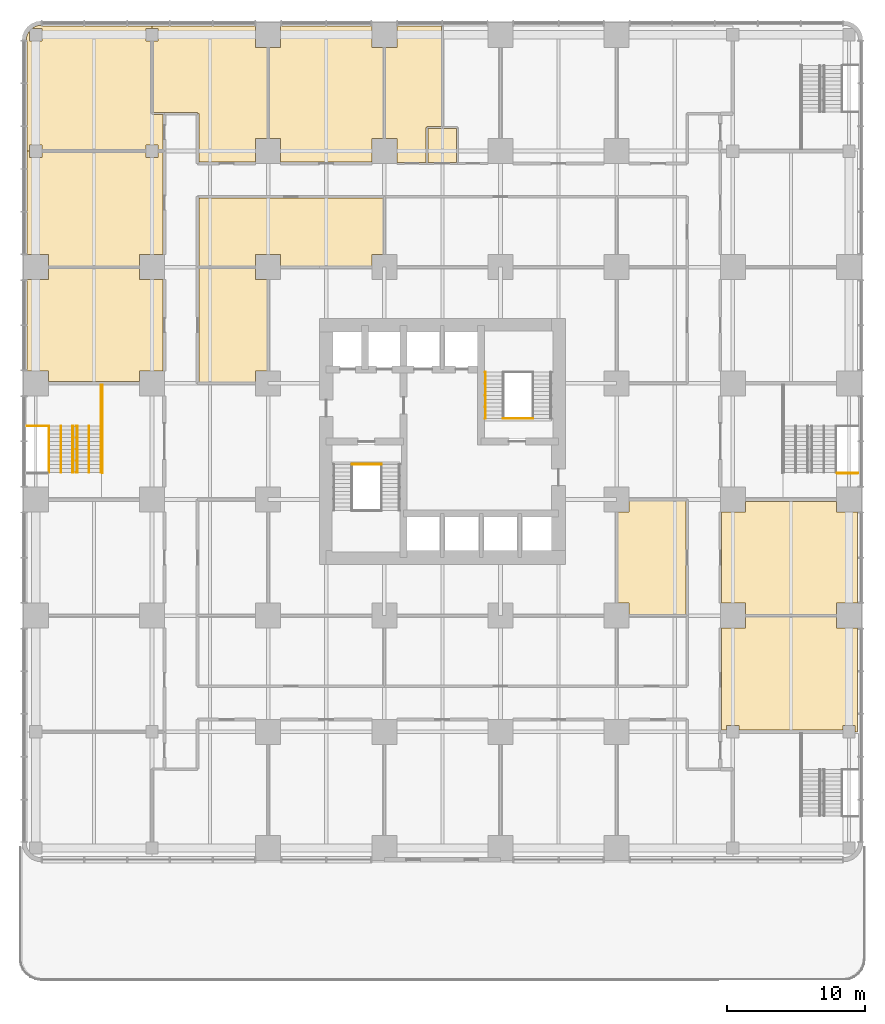
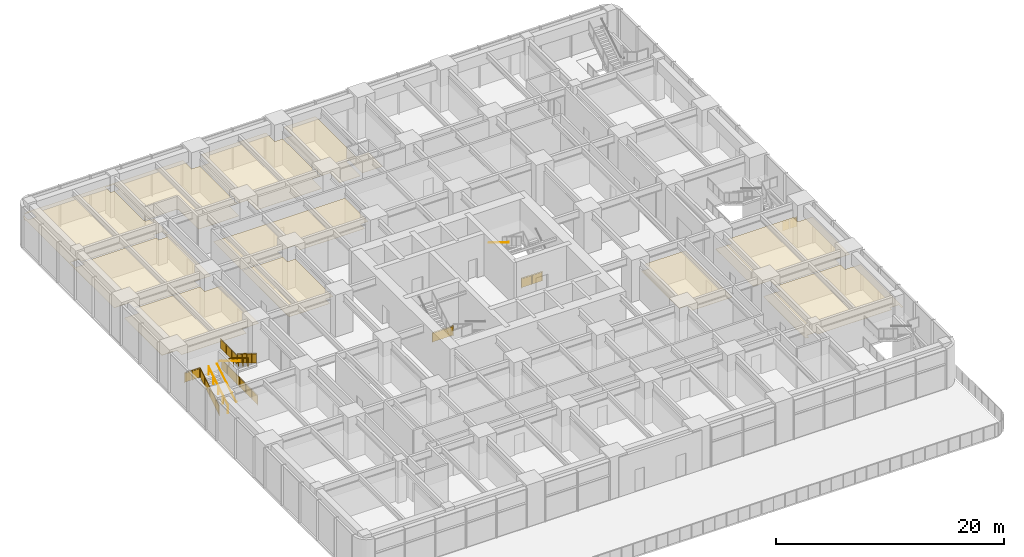
# One storey, part 17 of 19: 13 railings, 12 coverings.
"""IFC4 building model written with IfcOpenShell, lengths in metres."""

from ifc_helpers import new_model, si_unit, direction, frame, origin, origin_2d, place, context, subcontext, project, spatial, polyline, circle, outline, extrude, material, layer, layer_set, type_object, element, save


model = new_model("IFC4")

# Units and contexts
model_context = context("Model", 3, precision=1e-05, world=origin(), true_north=direction((0.0, 1.0)))
body_context = subcontext(model_context, "Body", "Model", "MODEL_VIEW")
ifc_project = project(units=[si_unit("LENGTHUNIT", "METRE"), si_unit("AREAUNIT", "SQUARE_METRE"), si_unit("VOLUMEUNIT", "CUBIC_METRE"), si_unit("PLANEANGLEUNIT", "RADIAN"), si_unit("MASSUNIT", "GRAM", prefix="KILO")], contexts=[model_context])

# Site, building, storey
site_placement = place(None, origin())
site = spatial("IfcSite", under=ifc_project, at=site_placement, CompositionType="ELEMENT")
building_placement = place(site_placement, origin())
building = spatial("IfcBuilding", under=site, at=building_placement, Name="Torre Alcanfor", CompositionType="ELEMENT")
storey_placement = place(building_placement, frame((0.0, 0.0, 15.0)))
storey = spatial("IfcBuildingStorey", under=building, at=storey_placement, Name="L03", CompositionType="ELEMENT", Elevation=15.0)

# Coverings
ifc_material_1 = material(Name="Mineral fibre acoustic tile 20 mm, NRC 0.70, on exposed suspension grid", Category="mineral fibre")
ifc_layer_1 = layer(ifc_material_1, 0.02001953125)
ifc_layer_set_1 = layer_set([ifc_layer_1], Name="Acoustic suspended ceiling 600x600 mineral fibre tile")
covering_type_1 = type_object("IfcCoveringType", Name="Acoustic suspended ceiling 600x600 mineral fibre tile", PredefinedType="CEILING", material=ifc_layer_set_1)
covering_1_placement = place(storey_placement, frame((0.0, 0.0, 2.75)))
element("IfcCovering", 1, at=covering_1_placement, inside=storey, type_object=covering_type_1, Name="Ceiling L03-09", PredefinedType="CEILING", context=body_context, shape_type="SweptSolid", body=[
    extrude(outline(polyline([(59.25, 8.85009765625), (59.25, 8.39990234375), (59.425048828125, 8.39990234375), (59.425048828125, 15.89990234375), (57.89990234375, 15.89990234375), (57.89990234375, 16.72509765625), (51.300048828125, 16.72509765625), (51.300048828125, 15.89990234375), (49.60009765625, 15.89990234375), (49.60009765625, 8.52490234375), (49.949951171875, 8.52490234375), (49.949951171875, 8.85009765625), (50.85009765625, 8.85009765625), (50.85009765625, 8.52490234375), (58.35009765625, 8.52490234375), (58.35009765625, 8.85009765625), (59.25, 8.85009765625)])), origin(), (0.0, 0.0, 1.0), 0.02001953125),
])
covering_2_placement = place(storey_placement, frame((0.0, 0.0, 2.75)))
element("IfcCovering", 2, at=covering_2_placement, inside=storey, type_object=covering_type_1, Name="Ceiling L03-11", PredefinedType="CEILING", context=body_context, shape_type="SweptSolid", body=[
    extrude(outline(polyline([(57.89990234375, 16.875), (57.89990234375, 17.699951171875), (59.425048828125, 17.699951171875), (59.425048828125, 24.300048828125), (57.89990234375, 24.300048828125), (57.89990234375, 25.074951171875), (51.300048828125, 25.074951171875), (51.300048828125, 24.300048828125), (49.60009765625, 24.300048828125), (49.60009765625, 17.699951171875), (51.300048828125, 17.699951171875), (51.300048828125, 16.875), (57.89990234375, 16.875)])), origin(), (0.0, 0.0, 1.0), 0.02001953125),
])
covering_3_placement = place(storey_placement, frame((0.0, 0.0, 2.75)))
element("IfcCovering", 3, at=covering_3_placement, inside=storey, type_object=covering_type_1, Name="Ceiling L03-12", PredefinedType="CEILING", context=body_context, shape_type="SweptSolid", body=[
    extrude(outline(polyline([(0.89990234375, 41.925048828125), (0.89990234375, 41.10009765625), (-0.625, 41.10009765625), (-0.625, 34.5), (0.89990234375, 34.5), (0.89990234375, 33.72509765625), (7.5, 33.72509765625), (7.5, 34.5), (9.199951171875, 34.5), (9.199951171875, 41.10009765625), (7.5, 41.10009765625), (7.5, 41.925048828125), (0.89990234375, 41.925048828125)])), origin(), (0.0, 0.0, 1.0), 0.02001953125),
])
covering_4_placement = place(storey_placement, frame((0.0, 0.0, 2.75)))
element("IfcCovering", 4, at=covering_4_placement, inside=storey, type_object=covering_type_1, Name="Ceiling L03-14", PredefinedType="CEILING", context=body_context, shape_type="SweptSolid", body=[
    extrude(outline(polyline([(-0.449951171875, 49.949951171875), (-0.449951171875, 50.39990234375), (-0.625, 50.39990234375), (-0.625, 42.89990234375), (0.89990234375, 42.89990234375), (0.89990234375, 42.074951171875), (7.5, 42.074951171875), (7.5, 42.89990234375), (9.199951171875, 42.89990234375), (9.199951171875, 50.324951171875), (8.85009765625, 50.324951171875), (8.85009765625, 49.949951171875), (7.949951171875, 49.949951171875), (7.949951171875, 50.324951171875), (0.449951171875, 50.324951171875), (0.449951171875, 49.949951171875), (-0.449951171875, 49.949951171875)])), origin(), (0.0, 0.0, 1.0), 0.02001953125),
])
covering_5_placement = place(storey_placement, frame((0.0, 0.0, 2.75)))
element("IfcCovering", 5, at=covering_5_placement, inside=storey, type_object=covering_type_1, Name="Ceiling L03-16", PredefinedType="CEILING", context=body_context, shape_type="SweptSolid", body=[
    extrude(outline(polyline([(16.875, 51.300048828125), (17.699951171875, 51.300048828125), (17.699951171875, 49.60009765625), (24.300048828125, 49.60009765625), (24.300048828125, 51.300048828125), (25.125, 51.300048828125), (25.125, 57.89990234375), (24.300048828125, 57.89990234375), (24.300048828125, 59.425048828125), (17.699951171875, 59.425048828125), (17.699951171875, 57.89990234375), (16.875, 57.89990234375), (16.875, 51.300048828125)])), origin(), (0.0, 0.0, 1.0), 0.02001953125),
])
covering_6_placement = place(storey_placement, frame((0.0, 0.0, 2.75)))
element("IfcCovering", 6, at=covering_6_placement, inside=storey, type_object=covering_type_1, Name="Ceiling L03-18", PredefinedType="CEILING", context=body_context, shape_type="SweptSolid", body=[
    extrude(outline(polyline([(-0.449951171875, 59.079345703125), (-0.55029296875, 58.94873046875), (-0.659912109375, 58.68408203125), (-0.697509765625, 58.39990234375), (-0.625, 58.39990234375), (-0.625, 50.39990234375), (-0.449951171875, 50.39990234375), (-0.449951171875, 50.85009765625), (0.449951171875, 50.85009765625), (0.449951171875, 50.47509765625), (7.949951171875, 50.47509765625), (7.949951171875, 50.85009765625), (8.85009765625, 50.85009765625), (8.85009765625, 50.47509765625), (9.199951171875, 50.47509765625), (9.199951171875, 53.02490234375), (8.39990234375, 53.02490234375), (8.39990234375, 53.10009765625), (8.324951171875, 53.10009765625), (8.324951171875, 58.35009765625), (7.949951171875, 58.35009765625), (7.949951171875, 59.25), (8.39990234375, 59.25), (8.39990234375, 59.425048828125), (0.39990234375, 59.425048828125), (0.39990234375, 59.497314453125), (0.115966796875, 59.4599609375), (-0.148681640625, 59.350341796875), (-0.279296875, 59.25), (0.449951171875, 59.25), (0.449951171875, 58.35009765625), (-0.449951171875, 58.35009765625), (-0.449951171875, 59.079345703125)])), origin(), (0.0, 0.0, 1.0), 0.02001953125),
])
covering_7_placement = place(storey_placement, frame((0.0, 0.0, 2.75)))
element("IfcCovering", 7, at=covering_7_placement, inside=storey, type_object=covering_type_1, Name="Ceiling L03-20", PredefinedType="CEILING", context=body_context, shape_type="SweptSolid", body=[
    extrude(outline(polyline([(8.39990234375, 59.25), (8.85009765625, 59.25), (8.85009765625, 58.35009765625), (8.47509765625, 58.35009765625), (8.47509765625, 53.175048828125), (9.300048828125, 53.175048828125), (9.300048828125, 53.199951171875), (11.699951171875, 53.199951171875), (11.699951171875, 53.10009765625), (11.800048828125, 53.10009765625), (11.800048828125, 49.60009765625), (15.89990234375, 49.60009765625), (15.89990234375, 51.300048828125), (16.72509765625, 51.300048828125), (16.72509765625, 57.89990234375), (15.89990234375, 57.89990234375), (15.89990234375, 59.425048828125), (8.39990234375, 59.425048828125), (8.39990234375, 59.25)])), origin(), (0.0, 0.0, 1.0), 0.02001953125),
])
covering_8_placement = place(storey_placement, frame((0.0, 0.0, 3.0)))
element("IfcCovering", 8, at=covering_8_placement, inside=storey, type_object=covering_type_1, Name="Ceiling L03-I05", PredefinedType="CEILING", context=body_context, shape_type="SweptSolid", body=[
    extrude(outline(polyline([(42.89990234375, 25.10009765625), (42.89990234375, 24.300048828125), (42.10009765625, 24.300048828125), (42.10009765625, 17.699951171875), (42.89990234375, 17.699951171875), (42.89990234375, 16.875), (47.0, 16.875), (47.0, 25.10009765625), (42.89990234375, 25.10009765625)])), origin(), (0.0, 0.0, 1.0), 0.02001953125),
])
covering_9_placement = place(storey_placement, frame((0.0, 0.0, 3.0)))
element("IfcCovering", 9, at=covering_9_placement, inside=storey, type_object=covering_type_1, Name="Ceiling L03-I06", PredefinedType="CEILING", context=body_context, shape_type="SweptSolid", body=[
    extrude(outline(polyline([(15.89990234375, 33.699951171875), (15.89990234375, 34.5), (16.699951171875, 34.5), (16.699951171875, 41.10009765625), (15.89990234375, 41.10009765625), (15.89990234375, 41.925048828125), (11.800048828125, 41.925048828125), (11.800048828125, 33.699951171875), (15.89990234375, 33.699951171875)])), origin(), (0.0, 0.0, 1.0), 0.02001953125),
])
covering_10_placement = place(storey_placement, frame((0.0, 0.0, 3.0)))
element("IfcCovering", 10, at=covering_10_placement, inside=storey, type_object=covering_type_1, Name="Ceiling L03-I08", PredefinedType="CEILING", context=body_context, shape_type="SweptSolid", body=[
    extrude(outline(polyline([(24.300048828125, 42.10009765625), (24.300048828125, 42.89990234375), (25.125, 42.89990234375), (25.125, 47.0), (11.800048828125, 47.0), (11.800048828125, 42.074951171875), (15.89990234375, 42.074951171875), (15.89990234375, 42.89990234375), (17.699951171875, 42.89990234375), (17.699951171875, 42.10009765625), (24.300048828125, 42.10009765625)])), origin(), (0.0, 0.0, 1.0), 0.02001953125),
])
ifc_material_2 = material(Name="Moisture-resistant gypsum plasterboard 12.5 mm on concealed suspension frame", Category="gypsum")
ifc_layer_2 = layer(ifc_material_2, 0.012451171875)
ifc_layer_set_2 = layer_set([ifc_layer_2], Name="Moisture-resistant plasterboard ceiling 12.5")
covering_type_2 = type_object("IfcCoveringType", Name="Moisture-resistant plasterboard ceiling 12.5", PredefinedType="CEILING", material=ifc_layer_set_2)
covering_11_placement = place(storey_placement, frame((0.0, 0.0, 2.75)))
element("IfcCovering", 11, at=covering_11_placement, inside=storey, type_object=covering_type_2, Name="Ceiling L03-WCN1", PredefinedType="CEILING", context=body_context, shape_type="SweptSolid", body=[
    extrude(outline(polyline([(25.27490234375, 51.300048828125), (26.10009765625, 51.300048828125), (26.10009765625, 49.574951171875), (28.22509765625, 49.574951171875), (28.22509765625, 52.10009765625), (28.300048828125, 52.10009765625), (28.300048828125, 52.175048828125), (29.324951171875, 52.175048828125), (29.324951171875, 59.425048828125), (26.10009765625, 59.425048828125), (26.10009765625, 57.89990234375), (25.27490234375, 57.89990234375), (25.27490234375, 51.300048828125)])), origin(), (0.0, 0.0, 1.0), 0.012451171875),
])
covering_12_placement = place(storey_placement, frame((0.0, 0.0, 3.0)))
element("IfcCovering", 12, at=covering_12_placement, inside=storey, type_object=covering_type_2, Name="Ceiling L03-WCN2", PredefinedType="CEILING", context=body_context, shape_type="SweptSolid", body=[
    extrude(outline(polyline([(30.425048828125, 52.02490234375), (28.375, 52.02490234375), (28.375, 49.574951171875), (30.425048828125, 49.574951171875), (30.425048828125, 52.02490234375)])), origin(), (0.0, 0.0, 1.0), 0.012451171875),
])

# Railings
ifc_material_3 = material(Name="Steel ASTM A500 Grade C hollow sections", Category="steel")
railing_type_1 = type_object("IfcRailingType", Name="Stair guard and handrail 1100", PredefinedType="GUARDRAIL", material=ifc_material_3)
for number, where, name in (
    (13, (22.85009765625, 27.75, 0.0), "Stair well guard S1 L03 floor landing"),
    (14, (33.800048828125, 31.050048828125, 0.0), "Stair well guard S2 L03 floor landing"),
):
    element("IfcRailing", number, at=place(storey_placement, frame(where)), inside=storey, type_object=railing_type_1, Name=name, PredefinedType="GUARDRAIL", context=body_context, shape_type="SweptSolid", body=[
        extrude(circle(Radius=0.02392578125, at=origin_2d()), frame((0.0, 0.0, 1.076171875), z_axis=(1.0, 0.0, 0.0), x_axis=(0.0, 1.0, 0.0)), (0.0, 0.0, 1.0), 2.14990234375),
        extrude(circle(Radius=0.02099609375, at=origin_2d()), origin(), (0.0, 0.0, 1.0), 1.052001953125),
        extrude(circle(Radius=0.02099609375, at=origin_2d()), frame((1.074951171875, 0.0, 0.0)), (0.0, 0.0, 1.0), 1.052001953125),
        extrude(circle(Radius=0.02099609375, at=origin_2d()), frame((2.14990234375, 0.0, 0.0)), (0.0, 0.0, 1.0), 1.052001953125),
        extrude(outline(polyline([(0.041015625, 0.050048828125), (1.033935546875, 0.050048828125), (1.033935546875, 1.001953125), (0.041015625, 1.001953125), (0.041015625, 0.050048828125)])), frame((0.0, 0.005859375, 0.0), z_axis=(0.0, -1.0, 0.0), x_axis=(1.0, 0.0, 0.0)), (0.0, 0.0, 1.0), 0.011962890625),
        extrude(outline(polyline([(1.115966796875, 0.050048828125), (2.10888671875, 0.050048828125), (2.10888671875, 1.001953125), (1.115966796875, 1.001953125), (1.115966796875, 0.050048828125)])), frame((0.0, 0.005859375, 0.0), z_axis=(0.0, -1.0, 0.0), x_axis=(1.0, 0.0, 0.0)), (0.0, 0.0, 1.0), 0.011962890625),
    ])
railing_1_placement = place(storey_placement, frame((4.81005859375, 27.10498046875, 0.0)))
element("IfcRailing", 15, at=railing_1_placement, inside=storey, type_object=railing_type_1, Name="Stair well guard SS1 L03 door side", PredefinedType="GUARDRAIL", context=body_context, shape_type="SweptSolid", body=[
    extrude(circle(Radius=0.02392578125, at=origin_2d()), frame((0.0, 0.0, 1.076171875), z_axis=(0.0, 1.0, 0.0), x_axis=(-1.0, 0.0, 0.0)), (0.0, 0.0, 1.0), 6.360107421875),
    extrude(circle(Radius=0.02099609375, at=origin_2d()), origin(), (0.0, 0.0, 1.0), 1.052001953125),
    extrude(circle(Radius=0.02099609375, at=origin_2d()), frame((0.0, 1.06005859375, 0.0)), (0.0, 0.0, 1.0), 1.052001953125),
    extrude(circle(Radius=0.02099609375, at=origin_2d()), frame((0.0, 2.1201171875, 0.0)), (0.0, 0.0, 1.0), 1.052001953125),
    extrude(circle(Radius=0.02099609375, at=origin_2d()), frame((0.0, 3.18017578125, 0.0)), (0.0, 0.0, 1.0), 1.052001953125),
    extrude(circle(Radius=0.02099609375, at=origin_2d()), frame((0.0, 4.239990234375, 0.0)), (0.0, 0.0, 1.0), 1.052001953125),
    extrude(circle(Radius=0.02099609375, at=origin_2d()), frame((0.0, 5.300048828125, 0.0)), (0.0, 0.0, 1.0), 1.052001953125),
    extrude(circle(Radius=0.02099609375, at=origin_2d()), frame((0.0, 6.360107421875, 0.0)), (0.0, 0.0, 1.0), 1.052001953125),
    extrude(outline(polyline([(0.041015625, 0.050048828125), (1.01904296875, 0.050048828125), (1.01904296875, 1.001953125), (0.041015625, 1.001953125), (0.041015625, 0.050048828125)])), frame((-0.005859375, 0.0, 0.0), z_axis=(1.0, 0.0, 0.0), x_axis=(0.0, 1.0, 0.0)), (0.0, 0.0, 1.0), 0.011962890625),
    extrude(outline(polyline([(1.10107421875, 0.050048828125), (2.0791015625, 0.050048828125), (2.0791015625, 1.001953125), (1.10107421875, 1.001953125), (1.10107421875, 0.050048828125)])), frame((-0.005859375, 0.0, 0.0), z_axis=(1.0, 0.0, 0.0), x_axis=(0.0, 1.0, 0.0)), (0.0, 0.0, 1.0), 0.011962890625),
    extrude(outline(polyline([(2.1611328125, 0.050048828125), (3.13916015625, 0.050048828125), (3.13916015625, 1.001953125), (2.1611328125, 1.001953125), (2.1611328125, 0.050048828125)])), frame((-0.005859375, 0.0, 0.0), z_axis=(1.0, 0.0, 0.0), x_axis=(0.0, 1.0, 0.0)), (0.0, 0.0, 1.0), 0.011962890625),
    extrude(outline(polyline([(3.220947265625, 0.050048828125), (4.198974609375, 0.050048828125), (4.198974609375, 1.001953125), (3.220947265625, 1.001953125), (3.220947265625, 0.050048828125)])), frame((-0.005859375, 0.0, 0.0), z_axis=(1.0, 0.0, 0.0), x_axis=(0.0, 1.0, 0.0)), (0.0, 0.0, 1.0), 0.011962890625),
    extrude(outline(polyline([(4.281005859375, 0.050048828125), (5.259033203125, 0.050048828125), (5.259033203125, 1.001953125), (4.281005859375, 1.001953125), (4.281005859375, 0.050048828125)])), frame((-0.005859375, 0.0, 0.0), z_axis=(1.0, 0.0, 0.0), x_axis=(0.0, 1.0, 0.0)), (0.0, 0.0, 1.0), 0.011962890625),
    extrude(outline(polyline([(5.341064453125, 0.050048828125), (6.319091796875, 0.050048828125), (6.319091796875, 1.001953125), (5.341064453125, 1.001953125), (5.341064453125, 0.050048828125)])), frame((-0.005859375, 0.0, 0.0), z_axis=(1.0, 0.0, 0.0), x_axis=(0.0, 1.0, 0.0)), (0.0, 0.0, 1.0), 0.011962890625),
])
railing_2_placement = place(storey_placement, frame((0.949951171875, 27.155029296875, 0.173095703125)))
element("IfcRailing", 16, at=railing_2_placement, inside=storey, type_object=railing_type_1, Name="Stair guard SS1 L03 flight 1", PredefinedType="GUARDRAIL", context=body_context, shape_type="SweptSolid", body=[
    extrude(circle(Radius=0.02392578125, at=origin_2d()), frame((0.0, 0.0, 1.076171875), z_axis=(0.0, 0.850606129759, 0.525803396734), x_axis=(-1.0, 0.0, 0.0)), (0.0, 0.0, 1.0), 3.949951171875),
    extrude(circle(Radius=0.02099609375, at=origin_2d()), origin(), (0.0, 0.0, 1.0), 1.052001953125),
    extrude(circle(Radius=0.02099609375, at=origin_2d()), frame((0.0, 0.83984375, 0.519287109375)), (0.0, 0.0, 1.0), 1.052001953125),
    extrude(circle(Radius=0.02099609375, at=origin_2d()), frame((0.0, 1.679931640625, 1.03857421875)), (0.0, 0.0, 1.0), 1.052001953125),
    extrude(circle(Radius=0.02099609375, at=origin_2d()), frame((0.0, 2.52001953125, 1.5576171875)), (0.0, 0.0, 1.0), 1.052001953125),
    extrude(circle(Radius=0.02099609375, at=origin_2d()), frame((0.0, 3.35986328125, 2.076904296875)), (0.0, 0.0, 1.0), 1.052001953125),
    extrude(outline(polyline([(0.041015625, 0.075439453125), (0.799072265625, 0.5439453125), (0.799072265625, 1.495849609375), (0.041015625, 1.02734375), (0.041015625, 0.075439453125)])), frame((-0.005859375, 0.0, 0.0), z_axis=(1.0, 0.0, 0.0), x_axis=(0.0, 1.0, 0.0)), (0.0, 0.0, 1.0), 0.011962890625),
    extrude(outline(polyline([(0.880859375, 0.594482421875), (1.638916015625, 1.06298828125), (1.638916015625, 2.01513671875), (0.880859375, 1.546630859375), (0.880859375, 0.594482421875)])), frame((-0.005859375, 0.0, 0.0), z_axis=(1.0, 0.0, 0.0), x_axis=(0.0, 1.0, 0.0)), (0.0, 0.0, 1.0), 0.011962890625),
    extrude(outline(polyline([(1.720947265625, 1.11376953125), (2.47900390625, 1.582275390625), (2.47900390625, 2.534423828125), (1.720947265625, 2.06591796875), (1.720947265625, 1.11376953125)])), frame((-0.005859375, 0.0, 0.0), z_axis=(1.0, 0.0, 0.0), x_axis=(0.0, 1.0, 0.0)), (0.0, 0.0, 1.0), 0.011962890625),
    extrude(outline(polyline([(2.560791015625, 1.633056640625), (3.31884765625, 2.1015625), (3.31884765625, 3.053466796875), (2.560791015625, 2.5849609375), (2.560791015625, 1.633056640625)])), frame((-0.005859375, 0.0, 0.0), z_axis=(1.0, 0.0, 0.0), x_axis=(0.0, 1.0, 0.0)), (0.0, 0.0, 1.0), 0.011962890625),
])
railing_3_placement = place(storey_placement, frame((4.7099609375, 30.514892578125, 2.423095703125)))
element("IfcRailing", 17, at=railing_3_placement, inside=storey, type_object=railing_type_1, Name="Stair guard SS1 L03 flight 2", PredefinedType="GUARDRAIL", context=body_context, shape_type="SweptSolid", body=[
    extrude(circle(Radius=0.02392578125, at=origin_2d()), frame((0.0, 0.0, 1.076171875), z_axis=(0.0, -0.850606129759, 0.525803396734), x_axis=(1.0, 0.0, 0.0)), (0.0, 0.0, 1.0), 3.949951171875),
    extrude(circle(Radius=0.02099609375, at=origin_2d()), origin(), (0.0, 0.0, 1.0), 1.052001953125),
    extrude(circle(Radius=0.02099609375, at=origin_2d()), frame((0.0, -0.83984375, 0.519287109375)), (0.0, 0.0, 1.0), 1.052001953125),
    extrude(circle(Radius=0.02099609375, at=origin_2d()), frame((0.0, -1.679931640625, 1.03857421875)), (0.0, 0.0, 1.0), 1.052001953125),
    extrude(circle(Radius=0.02099609375, at=origin_2d()), frame((0.0, -2.52001953125, 1.5576171875)), (0.0, 0.0, 1.0), 1.052001953125),
    extrude(circle(Radius=0.02099609375, at=origin_2d()), frame((0.0, -3.35986328125, 2.076904296875)), (0.0, 0.0, 1.0), 1.052001953125),
    extrude(outline(polyline([(0.041015625, 0.075439453125), (0.799072265625, 0.5439453125), (0.799072265625, 1.495849609375), (0.041015625, 1.02734375), (0.041015625, 0.075439453125)])), frame((0.005859375, 0.0, 0.0), z_axis=(-1.0, 0.0, 0.0), x_axis=(0.0, -1.0, 0.0)), (0.0, 0.0, 1.0), 0.011962890625),
    extrude(outline(polyline([(0.880859375, 0.594482421875), (1.638916015625, 1.06298828125), (1.638916015625, 2.01513671875), (0.880859375, 1.546630859375), (0.880859375, 0.594482421875)])), frame((0.005859375, 0.0, 0.0), z_axis=(-1.0, 0.0, 0.0), x_axis=(0.0, -1.0, 0.0)), (0.0, 0.0, 1.0), 0.011962890625),
    extrude(outline(polyline([(1.720947265625, 1.11376953125), (2.47900390625, 1.582275390625), (2.47900390625, 2.534423828125), (1.720947265625, 2.06591796875), (1.720947265625, 1.11376953125)])), frame((0.005859375, 0.0, 0.0), z_axis=(-1.0, 0.0, 0.0), x_axis=(0.0, -1.0, 0.0)), (0.0, 0.0, 1.0), 0.011962890625),
    extrude(outline(polyline([(2.560791015625, 1.633056640625), (3.31884765625, 2.1015625), (3.31884765625, 3.053466796875), (2.560791015625, 2.5849609375), (2.560791015625, 1.633056640625)])), frame((0.005859375, 0.0, 0.0), z_axis=(-1.0, 0.0, 0.0), x_axis=(0.0, -1.0, 0.0)), (0.0, 0.0, 1.0), 0.011962890625),
])
railing_4_placement = place(storey_placement, frame((-0.64990234375, 30.514892578125, 2.25)))
element("IfcRailing", 18, at=railing_4_placement, inside=storey, type_object=railing_type_1, Name="Stair guard SS1 L03 half landing facade strip", PredefinedType="GUARDRAIL", context=body_context, shape_type="SweptSolid", body=[
    extrude(circle(Radius=0.02392578125, at=origin_2d()), frame((0.0, 0.0, 1.076171875), z_axis=(1.0, 0.0, 0.0), x_axis=(0.0, 1.0, 0.0)), (0.0, 0.0, 1.0), 1.5498046875),
    extrude(circle(Radius=0.02099609375, at=origin_2d()), origin(), (0.0, 0.0, 1.0), 1.052001953125),
    extrude(circle(Radius=0.02099609375, at=origin_2d()), frame((0.77490234375, 0.0, 0.0)), (0.0, 0.0, 1.0), 1.052001953125),
    extrude(circle(Radius=0.02099609375, at=origin_2d()), frame((1.5498046875, 0.0, 0.0)), (0.0, 0.0, 1.0), 1.052001953125),
    extrude(outline(polyline([(0.041015625, 0.050048828125), (0.73388671875, 0.050048828125), (0.73388671875, 1.001953125), (0.041015625, 1.001953125), (0.041015625, 0.050048828125)])), frame((0.0, 0.005859375, 0.0), z_axis=(0.0, -1.0, 0.0), x_axis=(1.0, 0.0, 0.0)), (0.0, 0.0, 1.0), 0.011962890625),
    extrude(outline(polyline([(0.81591796875, 0.050048828125), (1.5087890625, 0.050048828125), (1.5087890625, 1.001953125), (0.81591796875, 1.001953125), (0.81591796875, 0.050048828125)])), frame((0.0, 0.005859375, 0.0), z_axis=(0.0, -1.0, 0.0), x_axis=(1.0, 0.0, 0.0)), (0.0, 0.0, 1.0), 0.011962890625),
])
railing_5_placement = place(storey_placement, frame((4.7099609375, 30.514892578125, 2.25)))
element("IfcRailing", 19, at=railing_5_placement, inside=storey, type_object=railing_type_1, Name="Stair guard SS1 L03 half landing", PredefinedType="GUARDRAIL", context=body_context, shape_type="SweptSolid", body=[
    extrude(circle(Radius=0.02392578125, at=origin_2d()), frame((0.0, 0.0, 1.076171875), z_axis=(0.0, 1.0, 0.0), x_axis=(-1.0, 0.0, 0.0)), (0.0, 0.0, 1.0), 2.9501953125),
    extrude(circle(Radius=0.02099609375, at=origin_2d()), origin(), (0.0, 0.0, 1.0), 1.052001953125),
    extrude(circle(Radius=0.02099609375, at=origin_2d()), frame((0.0, 0.9833984375, 0.0)), (0.0, 0.0, 1.0), 1.052001953125),
    extrude(circle(Radius=0.02099609375, at=origin_2d()), frame((0.0, 1.966796875, 0.0)), (0.0, 0.0, 1.0), 1.052001953125),
    extrude(circle(Radius=0.02099609375, at=origin_2d()), frame((0.0, 2.9501953125, 0.0)), (0.0, 0.0, 1.0), 1.052001953125),
    extrude(outline(polyline([(0.041015625, 0.050048828125), (0.9423828125, 0.050048828125), (0.9423828125, 1.001953125), (0.041015625, 1.001953125), (0.041015625, 0.050048828125)])), frame((-0.005859375, 0.0, 0.0), z_axis=(1.0, 0.0, 0.0), x_axis=(0.0, 1.0, 0.0)), (0.0, 0.0, 1.0), 0.011962890625),
    extrude(outline(polyline([(1.0244140625, 0.050048828125), (1.92578125, 0.050048828125), (1.92578125, 1.001953125), (1.0244140625, 1.001953125), (1.0244140625, 0.050048828125)])), frame((-0.005859375, 0.0, 0.0), z_axis=(1.0, 0.0, 0.0), x_axis=(0.0, 1.0, 0.0)), (0.0, 0.0, 1.0), 0.011962890625),
    extrude(outline(polyline([(2.0078125, 0.050048828125), (2.9091796875, 0.050048828125), (2.9091796875, 1.001953125), (2.0078125, 1.001953125), (2.0078125, 0.050048828125)])), frame((-0.005859375, 0.0, 0.0), z_axis=(1.0, 0.0, 0.0), x_axis=(0.0, 1.0, 0.0)), (0.0, 0.0, 1.0), 0.011962890625),
])
railing_6_placement = place(storey_placement, frame((59.449951171875, 27.10498046875, 0.0)))
element("IfcRailing", 20, at=railing_6_placement, inside=storey, type_object=railing_type_1, Name="Stair well guard SS2 L03 facade strip", PredefinedType="GUARDRAIL", context=body_context, shape_type="SweptSolid", body=[
    extrude(circle(Radius=0.02392578125, at=origin_2d()), frame((0.0, 0.0, 1.076171875), z_axis=(-1.0, 0.0, 0.0), x_axis=(0.0, -1.0, 0.0)), (0.0, 0.0, 1.0), 1.5),
    extrude(circle(Radius=0.02099609375, at=origin_2d()), origin(), (0.0, 0.0, 1.0), 1.052001953125),
    extrude(circle(Radius=0.02099609375, at=origin_2d()), frame((-0.75, 0.0, 0.0)), (0.0, 0.0, 1.0), 1.052001953125),
    extrude(circle(Radius=0.02099609375, at=origin_2d()), frame((-1.5, 0.0, 0.0)), (0.0, 0.0, 1.0), 1.052001953125),
    extrude(outline(polyline([(0.041015625, 0.050048828125), (0.708984375, 0.050048828125), (0.708984375, 1.001953125), (0.041015625, 1.001953125), (0.041015625, 0.050048828125)])), frame((0.0, -0.005859375, 0.0), z_axis=(0.0, 1.0, 0.0), x_axis=(-1.0, 0.0, 0.0)), (0.0, 0.0, 1.0), 0.011962890625),
    extrude(outline(polyline([(0.791015625, 0.050048828125), (1.458984375, 0.050048828125), (1.458984375, 1.001953125), (0.791015625, 1.001953125), (0.791015625, 0.050048828125)])), frame((0.0, -0.005859375, 0.0), z_axis=(0.0, 1.0, 0.0), x_axis=(-1.0, 0.0, 0.0)), (0.0, 0.0, 1.0), 0.011962890625),
])
ifc_material_4 = material(Name="Steel ASTM A500 Grade C hollow sections", Category="steel")
railing_type_2 = type_object("IfcRailingType", Name="Stair intermediate handrail 900", PredefinedType="HANDRAIL", material=ifc_material_4)
railing_7_placement = place(storey_placement, frame((1.81494140625, 27.155029296875, 0.173095703125)))
element("IfcRailing", 21, at=railing_7_placement, inside=storey, type_object=railing_type_2, Name="Stair intermediate handrail SS1 L03 flight 1 rail 1", PredefinedType="HANDRAIL", context=body_context, shape_type="SweptSolid", body=[
    extrude(circle(Radius=0.02392578125, at=origin_2d()), frame((0.0, 0.0, 0.8759765625), z_axis=(0.0, 0.850606129759, 0.525803396734), x_axis=(-1.0, 0.0, 0.0)), (0.0, 0.0, 1.0), 3.949951171875),
    extrude(circle(Radius=0.02099609375, at=origin_2d()), origin(), (0.0, 0.0, 1.0), 0.851806640625),
    extrude(circle(Radius=0.02099609375, at=origin_2d()), frame((0.0, 0.83984375, 0.519287109375)), (0.0, 0.0, 1.0), 0.851806640625),
    extrude(circle(Radius=0.02099609375, at=origin_2d()), frame((0.0, 1.679931640625, 1.03857421875)), (0.0, 0.0, 1.0), 0.851806640625),
    extrude(circle(Radius=0.02099609375, at=origin_2d()), frame((0.0, 2.52001953125, 1.5576171875)), (0.0, 0.0, 1.0), 0.851806640625),
    extrude(circle(Radius=0.02099609375, at=origin_2d()), frame((0.0, 3.35986328125, 2.076904296875)), (0.0, 0.0, 1.0), 0.851806640625),
])
railing_8_placement = place(storey_placement, frame((3.844970703125, 30.514892578125, 2.423095703125)))
element("IfcRailing", 22, at=railing_8_placement, inside=storey, type_object=railing_type_2, Name="Stair intermediate handrail SS1 L03 flight 2 rail 1", PredefinedType="HANDRAIL", context=body_context, shape_type="SweptSolid", body=[
    extrude(circle(Radius=0.02392578125, at=origin_2d()), frame((0.0, 0.0, 0.8759765625), z_axis=(0.0, -0.850606129759, 0.525803396734), x_axis=(1.0, 0.0, 0.0)), (0.0, 0.0, 1.0), 3.949951171875),
    extrude(circle(Radius=0.02099609375, at=origin_2d()), origin(), (0.0, 0.0, 1.0), 0.851806640625),
    extrude(circle(Radius=0.02099609375, at=origin_2d()), frame((0.0, -0.83984375, 0.519287109375)), (0.0, 0.0, 1.0), 0.851806640625),
    extrude(circle(Radius=0.02099609375, at=origin_2d()), frame((0.0, -1.679931640625, 1.03857421875)), (0.0, 0.0, 1.0), 0.851806640625),
    extrude(circle(Radius=0.02099609375, at=origin_2d()), frame((0.0, -2.52001953125, 1.5576171875)), (0.0, 0.0, 1.0), 0.851806640625),
    extrude(circle(Radius=0.02099609375, at=origin_2d()), frame((0.0, -3.35986328125, 2.076904296875)), (0.0, 0.0, 1.0), 0.851806640625),
])
ifc_material_5 = material(Name="Steel ASTM A500 Grade C hollow sections", Category="steel")
railing_type_3 = type_object("IfcRailingType", Name="Stair wall handrail 900", PredefinedType="HANDRAIL", material=ifc_material_5)
railing_9_placement = place(storey_placement, frame((32.514892578125, 34.409912109375, 2.423095703125)))
element("IfcRailing", 23, at=railing_9_placement, inside=storey, type_object=railing_type_3, Name="Stair handrail S2 L03 flight 2", PredefinedType="HANDRAIL", context=body_context, shape_type="SweptSolid", body=[
    extrude(circle(Radius=0.02392578125, at=origin_2d()), frame((0.0, 0.0, 0.8759765625), z_axis=(0.0, -0.850606129759, 0.525803396734), x_axis=(1.0, 0.0, 0.0)), (0.0, 0.0, 1.0), 3.949951171875),
    extrude(circle(Radius=0.008056640625, at=origin_2d()), frame((0.0, 0.0, 0.8759765625), z_axis=(-1.0, 0.0, 0.0), x_axis=(0.0, 0.0, 1.0)), (0.0, 0.0, 1.0), 0.06494140625),
    extrude(circle(Radius=0.008056640625, at=origin_2d()), frame((0.0, -0.83984375, 1.39501953125), z_axis=(-1.0, 0.0, 0.0), x_axis=(0.0, 0.0, 1.0)), (0.0, 0.0, 1.0), 0.06494140625),
    extrude(circle(Radius=0.008056640625, at=origin_2d()), frame((0.0, -1.679931640625, 1.914306640625), z_axis=(-1.0, 0.0, 0.0), x_axis=(0.0, 0.0, 1.0)), (0.0, 0.0, 1.0), 0.06494140625),
    extrude(circle(Radius=0.008056640625, at=origin_2d()), frame((0.0, -2.52001953125, 2.43359375), z_axis=(-1.0, 0.0, 0.0), x_axis=(0.0, 0.0, 1.0)), (0.0, 0.0, 1.0), 0.06494140625),
    extrude(circle(Radius=0.008056640625, at=origin_2d()), frame((0.0, -3.35986328125, 2.95263671875), z_axis=(-1.0, 0.0, 0.0), x_axis=(0.0, 0.0, 1.0)), (0.0, 0.0, 1.0), 0.06494140625),
])
railing_10_placement = place(storey_placement, frame((2.6650390625, 27.155029296875, 0.173095703125)))
element("IfcRailing", 24, at=railing_10_placement, inside=storey, type_object=railing_type_3, Name="Stair handrail SS1 L03 flight 1", PredefinedType="HANDRAIL", context=body_context, shape_type="SweptSolid", body=[
    extrude(circle(Radius=0.02392578125, at=origin_2d()), frame((0.0, 0.0, 0.8759765625), z_axis=(0.0, 0.850606129759, 0.525803396734), x_axis=(-1.0, 0.0, 0.0)), (0.0, 0.0, 1.0), 3.949951171875),
    extrude(circle(Radius=0.008056640625, at=origin_2d()), frame((0.0, 0.0, 0.8759765625), z_axis=(1.0, 0.0, 0.0), x_axis=(0.0, 0.0, 1.0)), (0.0, 0.0, 1.0), 0.06494140625),
    extrude(circle(Radius=0.008056640625, at=origin_2d()), frame((0.0, 0.83984375, 1.39501953125), z_axis=(1.0, 0.0, 0.0), x_axis=(0.0, 0.0, 1.0)), (0.0, 0.0, 1.0), 0.06494140625),
    extrude(circle(Radius=0.008056640625, at=origin_2d()), frame((0.0, 1.679931640625, 1.914306640625), z_axis=(1.0, 0.0, 0.0), x_axis=(0.0, 0.0, 1.0)), (0.0, 0.0, 1.0), 0.06494140625),
    extrude(circle(Radius=0.008056640625, at=origin_2d()), frame((0.0, 2.52001953125, 2.43359375), z_axis=(1.0, 0.0, 0.0), x_axis=(0.0, 0.0, 1.0)), (0.0, 0.0, 1.0), 0.06494140625),
    extrude(circle(Radius=0.008056640625, at=origin_2d()), frame((0.0, 3.35986328125, 2.95263671875), z_axis=(1.0, 0.0, 0.0), x_axis=(0.0, 0.0, 1.0)), (0.0, 0.0, 1.0), 0.06494140625),
])
railing_11_placement = place(storey_placement, frame((2.9951171875, 30.514892578125, 2.423095703125)))
element("IfcRailing", 25, at=railing_11_placement, inside=storey, type_object=railing_type_3, Name="Stair handrail SS1 L03 flight 2", PredefinedType="HANDRAIL", context=body_context, shape_type="SweptSolid", body=[
    extrude(circle(Radius=0.02392578125, at=origin_2d()), frame((0.0, 0.0, 0.8759765625), z_axis=(0.0, -0.850606129759, 0.525803396734), x_axis=(1.0, 0.0, 0.0)), (0.0, 0.0, 1.0), 3.949951171875),
    extrude(circle(Radius=0.008056640625, at=origin_2d()), frame((0.0, 0.0, 0.8759765625), z_axis=(-1.0, 0.0, 0.0), x_axis=(0.0, 0.0, 1.0)), (0.0, 0.0, 1.0), 0.06494140625),
    extrude(circle(Radius=0.008056640625, at=origin_2d()), frame((0.0, -0.83984375, 1.39501953125), z_axis=(-1.0, 0.0, 0.0), x_axis=(0.0, 0.0, 1.0)), (0.0, 0.0, 1.0), 0.06494140625),
    extrude(circle(Radius=0.008056640625, at=origin_2d()), frame((0.0, -1.679931640625, 1.914306640625), z_axis=(-1.0, 0.0, 0.0), x_axis=(0.0, 0.0, 1.0)), (0.0, 0.0, 1.0), 0.06494140625),
    extrude(circle(Radius=0.008056640625, at=origin_2d()), frame((0.0, -2.52001953125, 2.43359375), z_axis=(-1.0, 0.0, 0.0), x_axis=(0.0, 0.0, 1.0)), (0.0, 0.0, 1.0), 0.06494140625),
    extrude(circle(Radius=0.008056640625, at=origin_2d()), frame((0.0, -3.35986328125, 2.95263671875), z_axis=(-1.0, 0.0, 0.0), x_axis=(0.0, 0.0, 1.0)), (0.0, 0.0, 1.0), 0.06494140625),
])

save(model, "model.ifc")
